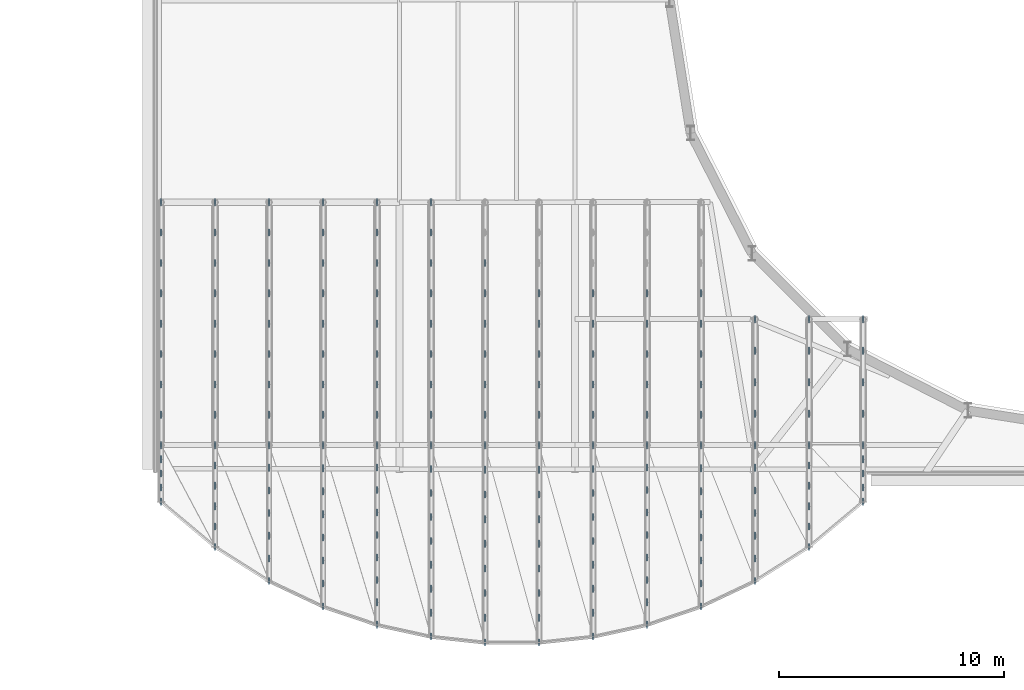
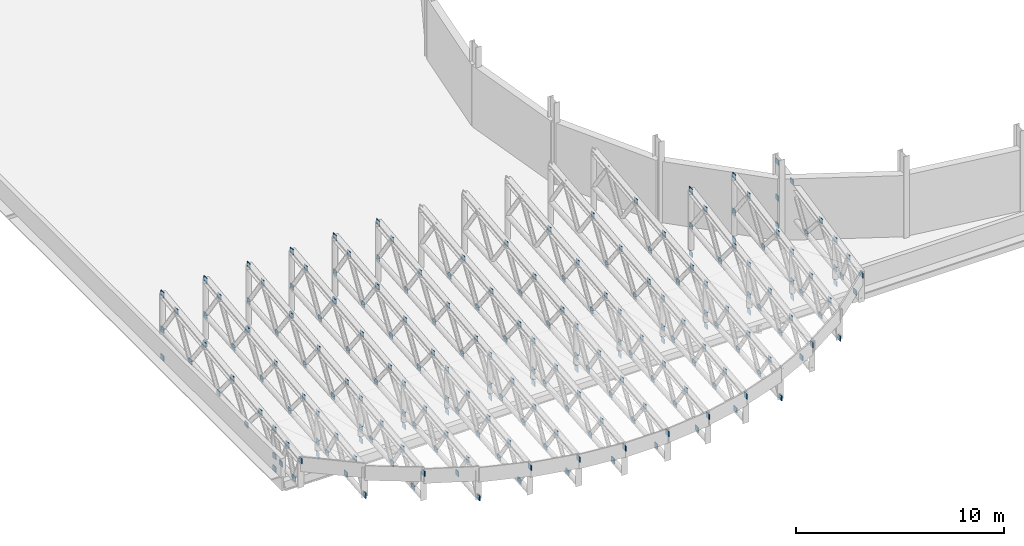
# One storey, part 36 of 58: 238 plates.
"""IFC4 building model written with IfcOpenShell, lengths in metres."""

from ifc_helpers import new_model, si_unit, direction, frame, origin, origin_2d, place, context, subcontext, project, spatial, rectangle, extrude, material, layer, layer_set, type_object, element, save


model = new_model("IFC4")

# Units and contexts
model_context = context("Model", 3, precision=1e-05, world=origin(), true_north=direction((0.0, 1.0)))
body_context = subcontext(model_context, "Body", "Model", "MODEL_VIEW")
ifc_project = project(units=[si_unit("LENGTHUNIT", "METRE"), si_unit("AREAUNIT", "SQUARE_METRE"), si_unit("VOLUMEUNIT", "CUBIC_METRE"), si_unit("PLANEANGLEUNIT", "RADIAN"), si_unit("MASSUNIT", "GRAM", prefix="KILO")], contexts=[model_context])

# Site, building, storey
site_placement = place(None, origin())
site = spatial("IfcSite", under=ifc_project, at=site_placement, CompositionType="ELEMENT")
building_placement = place(site_placement, origin())
building = spatial("IfcBuilding", under=site, at=building_placement, Name="Sefraquen Railside Congress Hotel", CompositionType="ELEMENT")
storey_placement = place(building_placement, frame((0.0, 0.0, 16.199951171875)))
storey = spatial("IfcBuildingStorey", under=building, at=storey_placement, Name="L03", CompositionType="ELEMENT", Elevation=16.199951171875)

# Plates
ifc_material = material(Name="Steel S355J2", Category="steel")
ifc_layer = layer(ifc_material, 0.0400390625)
ifc_layer_set = layer_set([ifc_layer], Name="Steel S355J2")
plate_type = type_object("IfcPlateType", Name="TP-GUS-02", PredefinedType="SHEET", material=ifc_layer_set)
for number, where, z_axis, x_axis, name in (
    (1, (22.39990234375, 4.68603515625, 1.59912109375), (0.0, 0.0, 1.0), (1.0, 0.0, 0.0), "Canopy truss node gusset plate 01.01"),
    (2, (22.39990234375, 5.31396484375, 0.15087890625), (0.0, 0.0, 1.0), (1.0, 0.0, 0.0), "Canopy truss node gusset plate 01.02"),
    (3, (22.39990234375, 5.943115234375, 1.76025390625), (0.0, 0.0, 1.0), (1.0, 0.0, 0.0), "Canopy truss node gusset plate 01.03"),
    (4, (22.39990234375, 6.572021484375, 0.2548828125), (0.0, 0.0, 1.0), (1.0, 0.0, 0.0), "Canopy truss node gusset plate 01.04"),
    (5, (22.39990234375, 7.199951171875, -0.43017578125), (0.0, 0.0, 1.0), (1.0, 0.0, 0.0), "Canopy truss node gusset plate 01.05"),
    (6, (22.39990234375, 7.199951171875, 0.30712890625), (0.0, 0.0, 1.0), (1.0, 0.0, 0.0), "Canopy truss node gusset plate 01.06"),
    (7, (22.39990234375, 7.199951171875, 1.919921875), (0.0, 0.0, 1.0), (1.0, 0.0, 0.0), "Canopy truss node gusset plate 01.07"),
    (8, (22.39990234375, 8.550048828125, 2.09326171875), (0.0, 0.0, 1.0), (1.0, 0.0, 0.0), "Canopy truss node gusset plate 01.08"),
    (9, (22.39990234375, 9.89990234375, 0.52978515625), (0.0, 0.0, 1.0), (1.0, 0.0, 0.0), "Canopy truss node gusset plate 01.09"),
    (10, (22.39990234375, 11.25, 2.43798828125), (0.0, 0.0, 1.0), (1.0, 0.0, 0.0), "Canopy truss node gusset plate 01.10"),
    (11, (22.39990234375, 12.60009765625, 0.75390625), (0.0, 0.0, 1.0), (1.0, 0.0, 0.0), "Canopy truss node gusset plate 01.11"),
    (12, (22.39990234375, 13.949951171875, 2.783203125), (0.0, 0.0, 1.0), (1.0, 0.0, 0.0), "Canopy truss node gusset plate 01.12"),
    (13, (22.39990234375, 15.300048828125, 0.97705078125), (0.0, 0.0, 1.0), (1.0, 0.0, 0.0), "Canopy truss node gusset plate 01.13"),
    (14, (22.39990234375, 16.64990234375, 3.126953125), (0.0, 0.0, 1.0), (1.0, 0.0, 0.0), "Canopy truss node gusset plate 01.14"),
    (15, (22.39990234375, 18.0, -0.43017578125), (0.0, 0.0, 1.0), (1.0, 0.0, 0.0), "Canopy truss node gusset plate 01.15"),
    (16, (22.39990234375, 18.0, 1.2001953125), (0.0, 0.0, 1.0), (1.0, 0.0, 0.0), "Canopy truss node gusset plate 01.16"),
    (17, (22.39990234375, 18.0, 3.2998046875), (0.0, 0.0, 1.0), (1.0, 0.0, 0.0), "Canopy truss node gusset plate 01.17"),
    (18, (24.800048828125, 2.678955078125, -0.06201171875), (0.0, 0.0, 1.0), (1.0, 0.0, 0.0), "Canopy truss node gusset plate 02.01"),
    (19, (24.800048828125, 3.5830078125, 1.5478515625), (0.0, 0.0, 1.0), (1.0, 0.0, 0.0), "Canopy truss node gusset plate 02.02"),
    (20, (24.800048828125, 4.487060546875, 0.0869140625), (0.0, 0.0, 1.0), (1.0, 0.0, 0.0), "Canopy truss node gusset plate 02.03"),
    (21, (24.800048828125, 5.39208984375, 1.76806640625), (0.0, 0.0, 1.0), (1.0, 0.0, 0.0), "Canopy truss node gusset plate 02.04"),
    (22, (24.800048828125, 6.2958984375, 0.23583984375), (0.0, 0.0, 1.0), (1.0, 0.0, 0.0), "Canopy truss node gusset plate 02.05"),
    (23, (24.800048828125, 7.199951171875, -0.43017578125), (0.0, 0.0, 1.0), (1.0, 0.0, 0.0), "Canopy truss node gusset plate 02.06"),
    (24, (24.800048828125, 7.199951171875, 0.31005859375), (0.0, 0.0, 1.0), (1.0, 0.0, 0.0), "Canopy truss node gusset plate 02.07"),
    (25, (24.800048828125, 7.199951171875, 1.98681640625), (0.0, 0.0, 1.0), (1.0, 0.0, 0.0), "Canopy truss node gusset plate 02.08"),
    (26, (24.800048828125, 8.550048828125, 2.15185546875), (0.0, 0.0, 1.0), (1.0, 0.0, 0.0), "Canopy truss node gusset plate 02.09"),
    (27, (24.800048828125, 9.89990234375, 0.533203125), (0.0, 0.0, 1.0), (1.0, 0.0, 0.0), "Canopy truss node gusset plate 02.10"),
    (28, (24.800048828125, 11.25, 2.47998046875), (0.0, 0.0, 1.0), (1.0, 0.0, 0.0), "Canopy truss node gusset plate 02.11"),
    (29, (24.800048828125, 12.60009765625, 0.7548828125), (0.0, 0.0, 1.0), (1.0, 0.0, 0.0), "Canopy truss node gusset plate 02.12"),
    (30, (24.800048828125, 13.949951171875, 2.80810546875), (0.0, 0.0, 1.0), (1.0, 0.0, 0.0), "Canopy truss node gusset plate 02.13"),
    (31, (24.800048828125, 15.300048828125, 0.97802734375), (0.0, 0.0, 1.0), (1.0, 0.0, 0.0), "Canopy truss node gusset plate 02.14"),
    (32, (24.800048828125, 16.64990234375, 3.13623046875), (0.0, 0.0, 1.0), (1.0, 0.0, 0.0), "Canopy truss node gusset plate 02.15"),
    (33, (24.800048828125, 18.0, -0.43017578125), (0.0, 0.0, 1.0), (1.0, 0.0, 0.0), "Canopy truss node gusset plate 02.16"),
    (34, (24.800048828125, 18.0, 1.2001953125), (0.0, 0.0, 1.0), (1.0, 0.0, 0.0), "Canopy truss node gusset plate 02.17"),
    (35, (24.800048828125, 18.0, 3.2998046875), (0.0, 0.0, 1.0), (1.0, 0.0, 0.0), "Canopy truss node gusset plate 02.18"),
    (36, (27.199951171875, 1.160888671875, 1.31689453125), (0.0, 0.0, 1.0), (1.0, 0.0, 0.0), "Canopy truss node gusset plate 03.01"),
    (37, (27.199951171875, 2.1669921875, -0.10009765625), (0.0, 0.0, 1.0), (1.0, 0.0, 0.0), "Canopy truss node gusset plate 03.02"),
    (38, (27.199951171875, 3.174072265625, 1.55419921875), (0.0, 0.0, 1.0), (1.0, 0.0, 0.0), "Canopy truss node gusset plate 03.03"),
    (39, (27.199951171875, 4.180908203125, 0.06494140625), (0.0, 0.0, 1.0), (1.0, 0.0, 0.0), "Canopy truss node gusset plate 03.04"),
    (40, (27.199951171875, 5.18701171875, 1.791015625), (0.0, 0.0, 1.0), (1.0, 0.0, 0.0), "Canopy truss node gusset plate 03.05"),
    (41, (27.199951171875, 6.194091796875, 0.22998046875), (0.0, 0.0, 1.0), (1.0, 0.0, 0.0), "Canopy truss node gusset plate 03.06"),
    (42, (27.199951171875, 7.199951171875, -0.43017578125), (0.0, 0.0, 1.0), (1.0, 0.0, 0.0), "Canopy truss node gusset plate 03.07"),
    (43, (27.199951171875, 7.199951171875, 0.31298828125), (0.0, 0.0, 1.0), (1.0, 0.0, 0.0), "Canopy truss node gusset plate 03.08"),
    (44, (27.199951171875, 7.199951171875, 2.02783203125), (0.0, 0.0, 1.0), (1.0, 0.0, 0.0), "Canopy truss node gusset plate 03.09"),
    (45, (27.199951171875, 8.550048828125, 2.18701171875), (0.0, 0.0, 1.0), (1.0, 0.0, 0.0), "Canopy truss node gusset plate 03.10"),
    (46, (27.199951171875, 9.89990234375, 0.53515625), (0.0, 0.0, 1.0), (1.0, 0.0, 0.0), "Canopy truss node gusset plate 03.11"),
    (47, (27.199951171875, 11.25, 2.5048828125), (0.0, 0.0, 1.0), (1.0, 0.0, 0.0), "Canopy truss node gusset plate 03.12"),
    (48, (27.199951171875, 12.60009765625, 0.7568359375), (0.0, 0.0, 1.0), (1.0, 0.0, 0.0), "Canopy truss node gusset plate 03.13"),
    (49, (27.199951171875, 13.949951171875, 2.8232421875), (0.0, 0.0, 1.0), (1.0, 0.0, 0.0), "Canopy truss node gusset plate 03.14"),
    (50, (27.199951171875, 15.300048828125, 0.97802734375), (0.0, 0.0, 1.0), (1.0, 0.0, 0.0), "Canopy truss node gusset plate 03.15"),
    (51, (27.199951171875, 16.64990234375, 3.14111328125), (0.0, 0.0, 1.0), (1.0, 0.0, 0.0), "Canopy truss node gusset plate 03.16"),
    (52, (27.199951171875, 18.0, -0.43017578125), (0.0, 0.0, 1.0), (1.0, 0.0, 0.0), "Canopy truss node gusset plate 03.17"),
    (53, (27.199951171875, 18.0, 1.2001953125), (0.0, 0.0, 1.0), (1.0, 0.0, 0.0), "Canopy truss node gusset plate 03.18"),
    (54, (27.199951171875, 18.0, 3.2998046875), (0.0, 0.0, 1.0), (1.0, 0.0, 0.0), "Canopy truss node gusset plate 03.19"),
    (55, (29.60009765625, 0.027099609375, -0.27392578125), (0.0, 0.0, 1.0), (1.0, 0.0, 0.0), "Canopy truss node gusset plate 04.01"),
    (56, (29.60009765625, 1.052001953125, 1.34423828125), (0.0, 0.0, 1.0), (1.0, 0.0, 0.0), "Canopy truss node gusset plate 04.02"),
    (57, (29.60009765625, 2.075927734375, -0.10595703125), (0.0, 0.0, 1.0), (1.0, 0.0, 0.0), "Canopy truss node gusset plate 04.03"),
    (58, (29.60009765625, 3.10107421875, 1.5810546875), (0.0, 0.0, 1.0), (1.0, 0.0, 0.0), "Canopy truss node gusset plate 04.04"),
    (59, (29.60009765625, 4.1259765625, 0.06201171875), (0.0, 0.0, 1.0), (1.0, 0.0, 0.0), "Canopy truss node gusset plate 04.05"),
    (60, (29.60009765625, 5.15087890625, 1.81689453125), (0.0, 0.0, 1.0), (1.0, 0.0, 0.0), "Canopy truss node gusset plate 04.06"),
    (61, (29.60009765625, 6.175048828125, 0.22998046875), (0.0, 0.0, 1.0), (1.0, 0.0, 0.0), "Canopy truss node gusset plate 04.07"),
    (62, (29.60009765625, 7.199951171875, -0.43017578125), (0.0, 0.0, 1.0), (1.0, 0.0, 0.0), "Canopy truss node gusset plate 04.08"),
    (63, (29.60009765625, 7.199951171875, 0.31396484375), (0.0, 0.0, 1.0), (1.0, 0.0, 0.0), "Canopy truss node gusset plate 04.09"),
    (64, (29.60009765625, 7.199951171875, 2.05419921875), (0.0, 0.0, 1.0), (1.0, 0.0, 0.0), "Canopy truss node gusset plate 04.10"),
    (65, (29.60009765625, 8.550048828125, 2.208984375), (0.0, 0.0, 1.0), (1.0, 0.0, 0.0), "Canopy truss node gusset plate 04.11"),
    (66, (29.60009765625, 9.89990234375, 0.5361328125), (0.0, 0.0, 1.0), (1.0, 0.0, 0.0), "Canopy truss node gusset plate 04.12"),
    (67, (29.60009765625, 11.25, 2.52099609375), (0.0, 0.0, 1.0), (1.0, 0.0, 0.0), "Canopy truss node gusset plate 04.13"),
    (68, (29.60009765625, 12.60009765625, 0.7568359375), (0.0, 0.0, 1.0), (1.0, 0.0, 0.0), "Canopy truss node gusset plate 04.14"),
    (69, (29.60009765625, 13.949951171875, 2.8330078125), (0.0, 0.0, 1.0), (1.0, 0.0, 0.0), "Canopy truss node gusset plate 04.15"),
    (70, (29.60009765625, 15.300048828125, 0.97900390625), (0.0, 0.0, 1.0), (1.0, 0.0, 0.0), "Canopy truss node gusset plate 04.16"),
    (71, (29.60009765625, 16.64990234375, 3.14404296875), (0.0, 0.0, 1.0), (1.0, 0.0, 0.0), "Canopy truss node gusset plate 04.17"),
    (72, (29.60009765625, 18.0, -0.43017578125), (0.0, 0.0, 1.0), (1.0, 0.0, 0.0), "Canopy truss node gusset plate 04.18"),
    (73, (29.60009765625, 18.0, 1.2001953125), (0.0, 0.0, 1.0), (1.0, 0.0, 0.0), "Canopy truss node gusset plate 04.19"),
    (74, (29.60009765625, 18.0, 3.2998046875), (0.0, 0.0, 1.0), (1.0, 0.0, 0.0), "Canopy truss node gusset plate 04.20"),
    (75, (32.0, -0.784912109375, 1.1611328125), (0.0, 0.0, 1.0), (1.0, 0.0, 0.0), "Canopy truss node gusset plate 05.01"),
    (76, (32.0, 0.212890625, -0.2568359375), (0.0, 0.0, 1.0), (1.0, 0.0, 0.0), "Canopy truss node gusset plate 05.02"),
    (77, (32.0, 1.2109375, 1.38818359375), (0.0, 0.0, 1.0), (1.0, 0.0, 0.0), "Canopy truss node gusset plate 05.03"),
    (78, (32.0, 2.208984375, -0.09375), (0.0, 0.0, 1.0), (1.0, 0.0, 0.0), "Canopy truss node gusset plate 05.04"),
    (79, (32.0, 3.2080078125, 1.6162109375), (0.0, 0.0, 1.0), (1.0, 0.0, 0.0), "Canopy truss node gusset plate 05.05"),
    (80, (32.0, 4.2060546875, 0.06982421875), (0.0, 0.0, 1.0), (1.0, 0.0, 0.0), "Canopy truss node gusset plate 05.06"),
    (81, (32.0, 5.2041015625, 1.84326171875), (0.0, 0.0, 1.0), (1.0, 0.0, 0.0), "Canopy truss node gusset plate 05.07"),
    (82, (32.0, 6.201904296875, 0.23291015625), (0.0, 0.0, 1.0), (1.0, 0.0, 0.0), "Canopy truss node gusset plate 05.08"),
    (83, (32.0, 7.199951171875, -0.43017578125), (0.0, 0.0, 1.0), (1.0, 0.0, 0.0), "Canopy truss node gusset plate 05.09"),
    (84, (32.0, 7.199951171875, 0.31494140625), (0.0, 0.0, 1.0), (1.0, 0.0, 0.0), "Canopy truss node gusset plate 05.10"),
    (85, (32.0, 7.199951171875, 2.06982421875), (0.0, 0.0, 1.0), (1.0, 0.0, 0.0), "Canopy truss node gusset plate 05.11"),
    (86, (32.0, 8.550048828125, 2.22412109375), (0.0, 0.0, 1.0), (1.0, 0.0, 0.0), "Canopy truss node gusset plate 05.12"),
    (87, (32.0, 9.89990234375, 0.5361328125), (0.0, 0.0, 1.0), (1.0, 0.0, 0.0), "Canopy truss node gusset plate 05.13"),
    (88, (32.0, 11.25, 2.53125), (0.0, 0.0, 1.0), (1.0, 0.0, 0.0), "Canopy truss node gusset plate 05.14"),
    (89, (32.0, 12.60009765625, 0.7578125), (0.0, 0.0, 1.0), (1.0, 0.0, 0.0), "Canopy truss node gusset plate 05.15"),
    (90, (32.0, 13.949951171875, 2.8388671875), (0.0, 0.0, 1.0), (1.0, 0.0, 0.0), "Canopy truss node gusset plate 05.16"),
    (91, (32.0, 15.300048828125, 0.97900390625), (0.0, 0.0, 1.0), (1.0, 0.0, 0.0), "Canopy truss node gusset plate 05.17"),
    (92, (32.0, 16.64990234375, 3.14599609375), (0.0, 0.0, 1.0), (1.0, 0.0, 0.0), "Canopy truss node gusset plate 05.18"),
    (93, (32.0, 18.0, -0.43017578125), (0.0, 0.0, 1.0), (1.0, 0.0, 0.0), "Canopy truss node gusset plate 05.19"),
    (94, (32.0, 18.0, 1.2001953125), (0.0, 0.0, 1.0), (1.0, 0.0, 0.0), "Canopy truss node gusset plate 05.20"),
    (95, (32.0, 18.0, 3.2998046875), (0.0, 0.0, 1.0), (1.0, 0.0, 0.0), "Canopy truss node gusset plate 05.21"),
    (96, (34.39990234375, -1.31005859375, 1.119140625), (0.0, 0.0, 1.0), (1.0, 0.0, 0.0), "Canopy truss node gusset plate 06.01"),
    (97, (34.39990234375, -0.24609375, -0.2939453125), (0.0, 0.0, 1.0), (1.0, 0.0, 0.0), "Canopy truss node gusset plate 06.02"),
    (98, (34.39990234375, 0.818115234375, 1.35888671875), (0.0, 0.0, 1.0), (1.0, 0.0, 0.0), "Canopy truss node gusset plate 06.03"),
    (99, (34.39990234375, 1.881103515625, -0.1201171875), (0.0, 0.0, 1.0), (1.0, 0.0, 0.0), "Canopy truss node gusset plate 06.04"),
    (100, (34.39990234375, 2.945068359375, 1.60009765625), (0.0, 0.0, 1.0), (1.0, 0.0, 0.0), "Canopy truss node gusset plate 06.05"),
    (101, (34.39990234375, 4.009033203125, 0.05419921875), (0.0, 0.0, 1.0), (1.0, 0.0, 0.0), "Canopy truss node gusset plate 06.06"),
    (102, (34.39990234375, 5.072021484375, 1.83984375), (0.0, 0.0, 1.0), (1.0, 0.0, 0.0), "Canopy truss node gusset plate 06.07"),
    (103, (34.39990234375, 6.135986328125, 0.22900390625), (0.0, 0.0, 1.0), (1.0, 0.0, 0.0), "Canopy truss node gusset plate 06.08"),
    (104, (34.39990234375, 7.199951171875, -0.43017578125), (0.0, 0.0, 1.0), (1.0, 0.0, 0.0), "Canopy truss node gusset plate 06.09"),
    (105, (34.39990234375, 7.199951171875, 0.31591796875), (0.0, 0.0, 1.0), (1.0, 0.0, 0.0), "Canopy truss node gusset plate 06.10"),
    (106, (34.39990234375, 7.199951171875, 2.080078125), (0.0, 0.0, 1.0), (1.0, 0.0, 0.0), "Canopy truss node gusset plate 06.11"),
    (107, (34.39990234375, 8.550048828125, 2.23291015625), (0.0, 0.0, 1.0), (1.0, 0.0, 0.0), "Canopy truss node gusset plate 06.12"),
    (108, (34.39990234375, 9.89990234375, 0.537109375), (0.0, 0.0, 1.0), (1.0, 0.0, 0.0), "Canopy truss node gusset plate 06.13"),
    (109, (34.39990234375, 11.25, 2.5380859375), (0.0, 0.0, 1.0), (1.0, 0.0, 0.0), "Canopy truss node gusset plate 06.14"),
    (110, (34.39990234375, 12.60009765625, 0.7578125), (0.0, 0.0, 1.0), (1.0, 0.0, 0.0), "Canopy truss node gusset plate 06.15"),
    (111, (34.39990234375, 13.949951171875, 2.84326171875), (0.0, 0.0, 1.0), (1.0, 0.0, 0.0), "Canopy truss node gusset plate 06.16"),
    (112, (34.39990234375, 15.300048828125, 0.97900390625), (0.0, 0.0, 1.0), (1.0, 0.0, 0.0), "Canopy truss node gusset plate 06.17"),
    (113, (34.39990234375, 16.64990234375, 3.14697265625), (0.0, 0.0, 1.0), (1.0, 0.0, 0.0), "Canopy truss node gusset plate 06.18"),
    (114, (34.39990234375, 18.0, -0.43017578125), (0.0, 0.0, 1.0), (1.0, 0.0, 0.0), "Canopy truss node gusset plate 06.19"),
    (115, (34.39990234375, 18.0, 1.2001953125), (0.0, 0.0, 1.0), (1.0, 0.0, 0.0), "Canopy truss node gusset plate 06.20"),
    (116, (34.39990234375, 18.0, 3.2998046875), (0.0, 0.0, 1.0), (1.0, 0.0, 0.0), "Canopy truss node gusset plate 06.21"),
    (117, (36.800048828125, -1.568115234375, 1.09912109375), (0.0, 0.0, 1.0), (1.0, 0.0, 0.0), "Canopy truss node gusset plate 07.01"),
    (118, (36.800048828125, -0.471923828125, -0.31103515625), (0.0, 0.0, 1.0), (1.0, 0.0, 0.0), "Canopy truss node gusset plate 07.02"),
    (119, (36.800048828125, 0.6240234375, 1.34619140625), (0.0, 0.0, 1.0), (1.0, 0.0, 0.0), "Canopy truss node gusset plate 07.03"),
    (120, (36.800048828125, 1.719970703125, -0.1318359375), (0.0, 0.0, 1.0), (1.0, 0.0, 0.0), "Canopy truss node gusset plate 07.04"),
    (121, (36.800048828125, 2.81591796875, 1.591796875), (0.0, 0.0, 1.0), (1.0, 0.0, 0.0), "Canopy truss node gusset plate 07.05"),
    (122, (36.800048828125, 3.912109375, 0.046875), (0.0, 0.0, 1.0), (1.0, 0.0, 0.0), "Canopy truss node gusset plate 07.06"),
    (123, (36.800048828125, 5.008056640625, 1.8388671875), (0.0, 0.0, 1.0), (1.0, 0.0, 0.0), "Canopy truss node gusset plate 07.07"),
    (124, (36.800048828125, 6.10400390625, 0.22705078125), (0.0, 0.0, 1.0), (1.0, 0.0, 0.0), "Canopy truss node gusset plate 07.08"),
    (125, (36.800048828125, 7.199951171875, -0.43017578125), (0.0, 0.0, 1.0), (1.0, 0.0, 0.0), "Canopy truss node gusset plate 07.09"),
    (126, (36.800048828125, 7.199951171875, 0.31591796875), (0.0, 0.0, 1.0), (1.0, 0.0, 0.0), "Canopy truss node gusset plate 07.10"),
    (127, (36.800048828125, 7.199951171875, 2.0849609375), (0.0, 0.0, 1.0), (1.0, 0.0, 0.0), "Canopy truss node gusset plate 07.11"),
    (128, (36.800048828125, 8.550048828125, 2.23681640625), (0.0, 0.0, 1.0), (1.0, 0.0, 0.0), "Canopy truss node gusset plate 07.12"),
    (129, (36.800048828125, 9.89990234375, 0.537109375), (0.0, 0.0, 1.0), (1.0, 0.0, 0.0), "Canopy truss node gusset plate 07.13"),
    (130, (36.800048828125, 11.25, 2.541015625), (0.0, 0.0, 1.0), (1.0, 0.0, 0.0), "Canopy truss node gusset plate 07.14"),
    (131, (36.800048828125, 12.60009765625, 0.7578125), (0.0, 0.0, 1.0), (1.0, 0.0, 0.0), "Canopy truss node gusset plate 07.15"),
    (132, (36.800048828125, 13.949951171875, 2.84423828125), (0.0, 0.0, 1.0), (1.0, 0.0, 0.0), "Canopy truss node gusset plate 07.16"),
    (133, (36.800048828125, 15.300048828125, 0.97900390625), (0.0, 0.0, 1.0), (1.0, 0.0, 0.0), "Canopy truss node gusset plate 07.17"),
    (134, (39.199951171875, -1.568115234375, 1.09912109375), (0.0, 0.0, 1.0), (1.0, 0.0, 0.0), "Canopy truss node gusset plate 08.01"),
    (135, (39.199951171875, -0.471923828125, -0.31103515625), (0.0, 0.0, 1.0), (1.0, 0.0, 0.0), "Canopy truss node gusset plate 08.02"),
    (136, (39.199951171875, 0.6240234375, 1.34619140625), (0.0, 0.0, 1.0), (1.0, 0.0, 0.0), "Canopy truss node gusset plate 08.03"),
    (137, (39.199951171875, 1.719970703125, -0.1318359375), (0.0, 0.0, 1.0), (1.0, 0.0, 0.0), "Canopy truss node gusset plate 08.04"),
    (138, (39.199951171875, 2.81591796875, 1.591796875), (0.0, 0.0, 1.0), (1.0, 0.0, 0.0), "Canopy truss node gusset plate 08.05"),
    (139, (39.199951171875, 3.912109375, 0.046875), (0.0, 0.0, 1.0), (1.0, 0.0, 0.0), "Canopy truss node gusset plate 08.06"),
    (140, (39.199951171875, 5.008056640625, 1.8388671875), (0.0, 0.0, 1.0), (1.0, 0.0, 0.0), "Canopy truss node gusset plate 08.07"),
    (141, (39.199951171875, 6.10400390625, 0.22705078125), (0.0, 0.0, 1.0), (1.0, 0.0, 0.0), "Canopy truss node gusset plate 08.08"),
    (142, (39.199951171875, 7.199951171875, -0.43017578125), (0.0, 0.0, 1.0), (1.0, 0.0, 0.0), "Canopy truss node gusset plate 08.09"),
    (143, (39.199951171875, 7.199951171875, 0.31591796875), (0.0, 0.0, 1.0), (1.0, 0.0, 0.0), "Canopy truss node gusset plate 08.10"),
    (144, (39.199951171875, 7.199951171875, 2.0849609375), (0.0, 0.0, 1.0), (1.0, 0.0, 0.0), "Canopy truss node gusset plate 08.11"),
    (145, (39.199951171875, 8.550048828125, 2.23681640625), (0.0, 0.0, 1.0), (1.0, 0.0, 0.0), "Canopy truss node gusset plate 08.12"),
    (146, (39.199951171875, 9.89990234375, 0.537109375), (0.0, 0.0, 1.0), (1.0, 0.0, 0.0), "Canopy truss node gusset plate 08.13"),
    (147, (39.199951171875, 11.25, 2.541015625), (0.0, 0.0, 1.0), (1.0, 0.0, 0.0), "Canopy truss node gusset plate 08.14"),
    (148, (39.199951171875, 12.60009765625, 0.7578125), (0.0, 0.0, 1.0), (1.0, 0.0, 0.0), "Canopy truss node gusset plate 08.15"),
    (149, (39.199951171875, 13.949951171875, 2.84423828125), (0.0, 0.0, 1.0), (1.0, 0.0, 0.0), "Canopy truss node gusset plate 08.16"),
    (150, (41.60009765625, -1.31005859375, 1.119140625), (0.0, 0.0, 1.0), (1.0, 0.0, 0.0), "Canopy truss node gusset plate 09.01"),
    (151, (41.60009765625, -0.24609375, -0.2939453125), (0.0, 0.0, 1.0), (1.0, 0.0, 0.0), "Canopy truss node gusset plate 09.02"),
    (152, (41.60009765625, 0.818115234375, 1.35888671875), (0.0, 0.0, 1.0), (1.0, 0.0, 0.0), "Canopy truss node gusset plate 09.03"),
    (153, (41.60009765625, 1.881103515625, -0.1201171875), (0.0, 0.0, 1.0), (1.0, 0.0, 0.0), "Canopy truss node gusset plate 09.04"),
    (154, (41.60009765625, 2.945068359375, 1.60009765625), (0.0, 0.0, 1.0), (1.0, 0.0, 0.0), "Canopy truss node gusset plate 09.05"),
    (155, (41.60009765625, 4.009033203125, 0.05419921875), (0.0, 0.0, 1.0), (1.0, 0.0, 0.0), "Canopy truss node gusset plate 09.06"),
    (156, (41.60009765625, 5.072021484375, 1.83984375), (0.0, 0.0, 1.0), (1.0, 0.0, 0.0), "Canopy truss node gusset plate 09.07"),
    (157, (41.60009765625, 6.135986328125, 0.22900390625), (0.0, 0.0, 1.0), (1.0, 0.0, 0.0), "Canopy truss node gusset plate 09.08"),
    (158, (41.60009765625, 7.199951171875, -0.43017578125), (0.0, 0.0, 1.0), (1.0, 0.0, 0.0), "Canopy truss node gusset plate 09.09"),
    (159, (41.60009765625, 7.199951171875, 0.31591796875), (0.0, 0.0, 1.0), (1.0, 0.0, 0.0), "Canopy truss node gusset plate 09.10"),
    (160, (41.60009765625, 7.199951171875, 2.080078125), (0.0, 0.0, 1.0), (1.0, 0.0, 0.0), "Canopy truss node gusset plate 09.11"),
    (161, (41.60009765625, 8.550048828125, 2.23291015625), (0.0, 0.0, 1.0), (1.0, 0.0, 0.0), "Canopy truss node gusset plate 09.12"),
    (162, (41.60009765625, 9.89990234375, 0.537109375), (0.0, 0.0, 1.0), (1.0, 0.0, 0.0), "Canopy truss node gusset plate 09.13"),
    (163, (41.60009765625, 11.25, 2.5380859375), (0.0, 0.0, 1.0), (1.0, 0.0, 0.0), "Canopy truss node gusset plate 09.14"),
    (164, (41.60009765625, 12.60009765625, 0.7578125), (0.0, 0.0, 1.0), (1.0, 0.0, 0.0), "Canopy truss node gusset plate 09.15"),
    (165, (41.60009765625, 13.949951171875, 2.84326171875), (0.0, 0.0, 1.0), (1.0, 0.0, 0.0), "Canopy truss node gusset plate 09.16"),
    (166, (44.0, -0.784912109375, 1.1611328125), (0.0, 0.0, 1.0), (1.0, 0.0, 0.0), "Canopy truss node gusset plate 10.01"),
    (167, (44.0, 0.212890625, -0.2568359375), (0.0, 0.0, 1.0), (1.0, 0.0, 0.0), "Canopy truss node gusset plate 10.02"),
    (168, (44.0, 1.2109375, 1.38818359375), (0.0, 0.0, 1.0), (1.0, 0.0, 0.0), "Canopy truss node gusset plate 10.03"),
    (169, (44.0, 2.208984375, -0.09375), (0.0, 0.0, 1.0), (1.0, 0.0, 0.0), "Canopy truss node gusset plate 10.04"),
    (170, (44.0, 3.2080078125, 1.6162109375), (0.0, 0.0, 1.0), (1.0, 0.0, 0.0), "Canopy truss node gusset plate 10.05"),
    (171, (44.0, 4.2060546875, 0.06982421875), (0.0, 0.0, 1.0), (1.0, 0.0, 0.0), "Canopy truss node gusset plate 10.06"),
    (172, (44.0, 5.2041015625, 1.84326171875), (0.0, 0.0, 1.0), (1.0, 0.0, 0.0), "Canopy truss node gusset plate 10.07"),
    (173, (44.0, 6.201904296875, 0.23291015625), (0.0, 0.0, 1.0), (1.0, 0.0, 0.0), "Canopy truss node gusset plate 10.08"),
    (174, (44.0, 7.199951171875, -0.43017578125), (0.0, 0.0, 1.0), (1.0, 0.0, 0.0), "Canopy truss node gusset plate 10.09"),
    (175, (44.0, 7.199951171875, 0.31494140625), (0.0, 0.0, 1.0), (1.0, 0.0, 0.0), "Canopy truss node gusset plate 10.10"),
    (176, (44.0, 7.199951171875, 2.06982421875), (0.0, 0.0, 1.0), (1.0, 0.0, 0.0), "Canopy truss node gusset plate 10.11"),
    (177, (44.0, 8.550048828125, 2.22412109375), (0.0, 0.0, 1.0), (1.0, 0.0, 0.0), "Canopy truss node gusset plate 10.12"),
    (178, (44.0, 9.89990234375, 0.5361328125), (0.0, 0.0, 1.0), (1.0, 0.0, 0.0), "Canopy truss node gusset plate 10.13"),
    (179, (44.0, 11.25, 2.53125), (0.0, 0.0, 1.0), (1.0, 0.0, 0.0), "Canopy truss node gusset plate 10.14"),
    (180, (44.0, 12.60009765625, 0.7578125), (0.0, 0.0, 1.0), (1.0, 0.0, 0.0), "Canopy truss node gusset plate 10.15"),
    (181, (44.0, 13.949951171875, 2.8388671875), (0.0, 0.0, 1.0), (1.0, 0.0, 0.0), "Canopy truss node gusset plate 10.16"),
    (182, (46.39990234375, 0.027099609375, -0.27392578125), (0.0, 0.0, 1.0), (1.0, 0.0, 0.0), "Canopy truss node gusset plate 11.01"),
    (183, (46.39990234375, 1.052001953125, 1.34423828125), (0.0, 0.0, 1.0), (1.0, 0.0, 0.0), "Canopy truss node gusset plate 11.02"),
    (184, (46.39990234375, 2.075927734375, -0.10595703125), (0.0, 0.0, 1.0), (1.0, 0.0, 0.0), "Canopy truss node gusset plate 11.03"),
    (185, (46.39990234375, 3.10107421875, 1.5810546875), (0.0, 0.0, 1.0), (1.0, 0.0, 0.0), "Canopy truss node gusset plate 11.04"),
    (186, (46.39990234375, 4.1259765625, 0.06201171875), (0.0, 0.0, 1.0), (1.0, 0.0, 0.0), "Canopy truss node gusset plate 11.05"),
    (187, (46.39990234375, 5.15087890625, 1.81689453125), (0.0, 0.0, 1.0), (1.0, 0.0, 0.0), "Canopy truss node gusset plate 11.06"),
    (188, (46.39990234375, 6.175048828125, 0.22998046875), (0.0, 0.0, 1.0), (1.0, 0.0, 0.0), "Canopy truss node gusset plate 11.07"),
    (189, (46.39990234375, 7.199951171875, -0.43017578125), (0.0, 0.0, 1.0), (1.0, 0.0, 0.0), "Canopy truss node gusset plate 11.08"),
    (190, (46.39990234375, 7.199951171875, 0.31396484375), (0.0, 0.0, 1.0), (1.0, 0.0, 0.0), "Canopy truss node gusset plate 11.09"),
    (191, (46.39990234375, 7.199951171875, 2.05419921875), (0.0, 0.0, 1.0), (1.0, 0.0, 0.0), "Canopy truss node gusset plate 11.10"),
    (192, (46.39990234375, 8.550048828125, 2.208984375), (0.0, 0.0, 1.0), (1.0, 0.0, 0.0), "Canopy truss node gusset plate 11.11"),
    (193, (46.39990234375, 9.89990234375, 0.5361328125), (0.0, 0.0, 1.0), (1.0, 0.0, 0.0), "Canopy truss node gusset plate 11.12"),
    (194, (46.39990234375, 11.25, 2.52099609375), (0.0, 0.0, 1.0), (1.0, 0.0, 0.0), "Canopy truss node gusset plate 11.13"),
    (195, (46.39990234375, 12.60009765625, 0.7568359375), (0.0, 0.0, 1.0), (1.0, 0.0, 0.0), "Canopy truss node gusset plate 11.14"),
    (196, (46.39990234375, 13.949951171875, 2.8330078125), (0.0, 0.0, 1.0), (1.0, 0.0, 0.0), "Canopy truss node gusset plate 11.15"),
    (197, (48.800048828125, 1.160888671875, 1.31689453125), (0.0, 0.0, 1.0), (1.0, 0.0, 0.0), "Canopy truss node gusset plate 12.01"),
    (198, (48.800048828125, 2.1669921875, -0.06298828125), (0.0, 0.0, 1.0), (1.0, 0.0, 0.0), "Canopy truss node gusset plate 12.02"),
    (199, (48.800048828125, 3.174072265625, 1.66015625), (0.0, 0.0, 1.0), (1.0, 0.0, 0.0), "Canopy truss node gusset plate 12.03"),
    (200, (48.800048828125, 4.180908203125, 0.17578125), (0.0, 0.0, 1.0), (1.0, 0.0, 0.0), "Canopy truss node gusset plate 12.04"),
    (201, (48.800048828125, 5.18701171875, 2.0029296875), (0.0, 0.0, 1.0), (1.0, 0.0, 0.0), "Canopy truss node gusset plate 12.05"),
    (202, (48.800048828125, 6.194091796875, 0.4150390625), (0.0, 0.0, 1.0), (1.0, 0.0, 0.0), "Canopy truss node gusset plate 12.06"),
    (203, (48.800048828125, 7.199951171875, -0.43017578125), (0.0, 0.0, 1.0), (1.0, 0.0, 0.0), "Canopy truss node gusset plate 12.07"),
    (204, (48.800048828125, 7.199951171875, 0.53515625), (0.0, 0.0, 1.0), (1.0, 0.0, 0.0), "Canopy truss node gusset plate 12.08"),
    (205, (48.800048828125, 7.199951171875, 2.34619140625), (0.0, 0.0, 1.0), (1.0, 0.0, 0.0), "Canopy truss node gusset plate 12.09"),
    (206, (48.800048828125, 8.60009765625, 2.583984375), (0.0, 0.0, 1.0), (1.0, 0.0, 0.0), "Canopy truss node gusset plate 12.10"),
    (207, (48.800048828125, 10.0, 0.8671875), (0.0, 0.0, 1.0), (1.0, 0.0, 0.0), "Canopy truss node gusset plate 12.11"),
    (208, (48.800048828125, 11.39990234375, 3.06201171875), (0.0, 0.0, 1.0), (1.0, 0.0, 0.0), "Canopy truss node gusset plate 12.12"),
    (209, (48.800048828125, 12.800048828125, -0.43017578125), (0.0, 0.0, 1.0), (1.0, 0.0, 0.0), "Canopy truss node gusset plate 12.13"),
    (210, (48.800048828125, 12.800048828125, 1.2001953125), (0.0, 0.0, 1.0), (1.0, 0.0, 0.0), "Canopy truss node gusset plate 12.14"),
    (211, (48.800048828125, 12.800048828125, 3.2998046875), (0.0, 0.0, 1.0), (1.0, 0.0, 0.0), "Canopy truss node gusset plate 12.15"),
    (212, (51.199951171875, 2.678955078125, -0.06201171875), (0.0, 0.0, 1.0), (1.0, 0.0, 0.0), "Canopy truss node gusset plate 13.01"),
    (213, (51.199951171875, 3.5830078125, 1.60400390625), (0.0, 0.0, 1.0), (1.0, 0.0, 0.0), "Canopy truss node gusset plate 13.02"),
    (214, (51.199951171875, 4.487060546875, 0.1640625), (0.0, 0.0, 1.0), (1.0, 0.0, 0.0), "Canopy truss node gusset plate 13.03"),
    (215, (51.199951171875, 5.39208984375, 1.93701171875), (0.0, 0.0, 1.0), (1.0, 0.0, 0.0), "Canopy truss node gusset plate 13.04"),
    (216, (51.199951171875, 6.2958984375, 0.38916015625), (0.0, 0.0, 1.0), (1.0, 0.0, 0.0), "Canopy truss node gusset plate 13.05"),
    (217, (51.199951171875, 7.199951171875, -0.43017578125), (0.0, 0.0, 1.0), (1.0, 0.0, 0.0), "Canopy truss node gusset plate 13.06"),
    (218, (51.199951171875, 7.199951171875, 0.501953125), (0.0, 0.0, 1.0), (1.0, 0.0, 0.0), "Canopy truss node gusset plate 13.07"),
    (219, (51.199951171875, 7.199951171875, 2.27001953125), (0.0, 0.0, 1.0), (1.0, 0.0, 0.0), "Canopy truss node gusset plate 13.08"),
    (220, (51.199951171875, 8.60009765625, 2.52685546875), (0.0, 0.0, 1.0), (1.0, 0.0, 0.0), "Canopy truss node gusset plate 13.09"),
    (221, (51.199951171875, 10.0, 0.85107421875), (0.0, 0.0, 1.0), (1.0, 0.0, 0.0), "Canopy truss node gusset plate 13.10"),
    (222, (51.199951171875, 11.39990234375, 3.0419921875), (0.0, 0.0, 1.0), (1.0, 0.0, 0.0), "Canopy truss node gusset plate 13.11"),
    (223, (51.199951171875, 12.800048828125, -0.43017578125), (0.0, 0.0, 1.0), (1.0, 0.0, 0.0), "Canopy truss node gusset plate 13.12"),
    (224, (51.199951171875, 12.800048828125, 1.2001953125), (0.0, 0.0, 1.0), (1.0, 0.0, 0.0), "Canopy truss node gusset plate 13.13"),
    (225, (51.199951171875, 12.800048828125, 3.2998046875), (0.0, 0.0, 1.0), (1.0, 0.0, 0.0), "Canopy truss node gusset plate 13.14"),
    (226, (53.60009765625, 4.68603515625, 1.59912109375), (0.0, 0.0, 1.0), (1.0, 0.0, 0.0), "Canopy truss node gusset plate 14.01"),
    (227, (53.60009765625, 5.31396484375, 0.18408203125), (0.0, 0.0, 1.0), (1.0, 0.0, 0.0), "Canopy truss node gusset plate 14.02"),
    (228, (53.60009765625, 5.943115234375, 1.86181640625), (0.0, 0.0, 1.0), (1.0, 0.0, 0.0), "Canopy truss node gusset plate 14.03"),
    (229, (53.60009765625, 6.572021484375, 0.35498046875), (0.0, 0.0, 1.0), (1.0, 0.0, 0.0), "Canopy truss node gusset plate 14.04"),
    (230, (53.60009765625, 7.199951171875, -0.43017578125), (0.0, 0.0, 1.0), (1.0, 0.0, 0.0), "Canopy truss node gusset plate 14.05"),
    (231, (53.60009765625, 7.199951171875, 0.43994140625), (0.0, 0.0, 1.0), (1.0, 0.0, 0.0), "Canopy truss node gusset plate 14.06"),
    (232, (53.60009765625, 7.199951171875, 2.1259765625), (0.0, 0.0, 1.0), (1.0, 0.0, 0.0), "Canopy truss node gusset plate 14.07"),
    (233, (53.60009765625, 8.60009765625, 2.419921875), (0.0, 0.0, 1.0), (1.0, 0.0, 0.0), "Canopy truss node gusset plate 14.08"),
    (234, (53.60009765625, 10.0, 0.81982421875), (0.0, 0.0, 1.0), (1.0, 0.0, 0.0), "Canopy truss node gusset plate 14.09"),
    (235, (53.60009765625, 11.39990234375, 3.0068359375), (0.0, 0.0, 1.0), (1.0, 0.0, 0.0), "Canopy truss node gusset plate 14.10"),
    (236, (53.60009765625, 12.800048828125, -0.43017578125), (0.0, 0.0, 1.0), (1.0, 0.0, 0.0), "Canopy truss node gusset plate 14.11"),
    (237, (53.60009765625, 12.800048828125, 1.2001953125), (0.0, 0.0, 1.0), (1.0, 0.0, 0.0), "Canopy truss node gusset plate 14.12"),
    (238, (53.60009765625, 12.800048828125, 3.2998046875), (0.0, 0.0, 1.0), (1.0, 0.0, 0.0), "Canopy truss node gusset plate 14.13"),
):
    element("IfcPlate", number, at=place(storey_placement, frame(where, z_axis=z_axis, x_axis=x_axis)), inside=storey, type_object=plate_type, Name=name, PredefinedType="SHEET", context=body_context, shape_type="SweptSolid", body=[
        extrude(rectangle(XDim=0.0400390625, YDim=0.300048828125, at=origin_2d()), origin(), (0.0, 0.0, 1.0), 0.300048828125),
    ])

save(model, "model.ifc")
